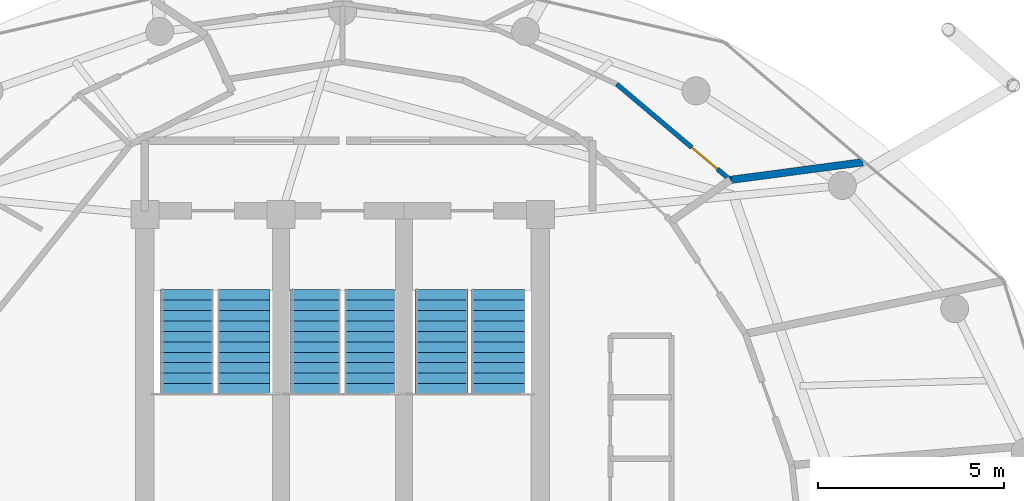
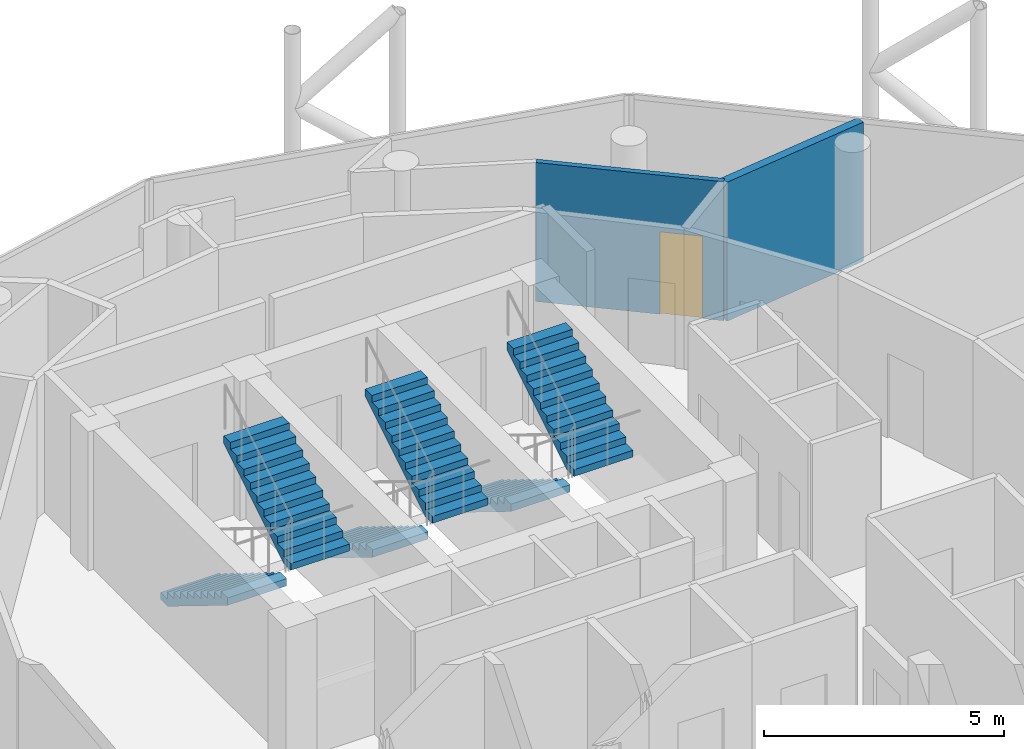
# One storey, part 23 of 24: 6 stair flights, 2 walls, 1 door, 1 opening, 3 elements without a shape of their own.
"""IFC4 building model written with IfcOpenShell, lengths in metres."""

from ifc_helpers import new_model, si_unit, direction, frame, frame_2d, origin, place, context, subcontext, project, spatial, polyline, rectangle, outline, extrude, material, layer, layer_set, type_object, element, fill, aggregate, save


model = new_model("IFC4")

# Units and contexts
model_context = context("Model", 3, precision=1e-05, world=origin(), true_north=direction((0.0, 1.0)))
body_context = subcontext(model_context, "Body", "Model", "MODEL_VIEW")
ifc_project = project(units=[si_unit("LENGTHUNIT", "METRE"), si_unit("AREAUNIT", "SQUARE_METRE"), si_unit("VOLUMEUNIT", "CUBIC_METRE"), si_unit("PLANEANGLEUNIT", "RADIAN"), si_unit("MASSUNIT", "GRAM", prefix="KILO")], contexts=[model_context])

# Site, building, storey
site_placement = place(None, origin())
site = spatial("IfcSite", under=ifc_project, at=site_placement, CompositionType="ELEMENT")
building_placement = place(site_placement, origin())
building = spatial("IfcBuilding", under=site, at=building_placement, Name="Nuhasar Tower", CompositionType="ELEMENT")
storey_placement = place(building_placement, frame((0.0, 0.0, 263.199951171875)))
storey = spatial("IfcBuildingStorey", under=building, at=storey_placement, Name="L65", CompositionType="ELEMENT", Elevation=263.199951171875)

# Wall, opening, door
ifc_material_1 = material(Name="Gypsum Board", Category="gypsum")
ifc_layer_1 = layer(ifc_material_1, 0.125)
ifc_layer_set_1 = layer_set([ifc_layer_1], Name="Gypsum Board")
wall_type_1 = type_object("IfcWallType", Name="WL-PART-125", PredefinedType="PARTITIONING", material=ifc_layer_set_1)
wall_1_placement = place(storey_placement, frame((46.35009765625, 40.794921875, 0.0), z_axis=(0.0, 0.0, 1.0), x_axis=(0.764348134159, -0.644803791713, 0.0)))
wall_1 = element("IfcWall", 1, at=wall_1_placement, inside=storey, type_object=wall_type_1, Name="L65 Interior Partition UMID-04-A-06", PredefinedType="PARTITIONING", context=body_context, shape_type="SweptSolid", body=[
    extrude(rectangle(XDim=3.982421875, YDim=0.125, at=frame_2d((1.9912109375, 0.0))), origin(), (0.0, 0.0, 1.0), 3.5400390625),
])
opening_placement = place(wall_1_placement, frame((2.6298828125, 0.0, 0.0)))
opening = element("IfcOpeningElement", 2, at=opening_placement, cuts=wall_1, Name="Opening DR-01", PredefinedType="OPENING", context=body_context, shape_type="SweptSolid", body=[
    extrude(rectangle(XDim=0.89990234375, YDim=2.10009765625, at=frame_2d((0.449951171875, 1.050048828125))), frame((0.0, 0.072509765625, 0.0), z_axis=(0.0, -1.0, 0.0), x_axis=(1.0, 0.0, 0.0)), (0.0, 0.0, 1.0), 0.14501953125),
])
ifc_material_2 = material(Name="Timber Oak", Category="wood")
door_type = type_object("IfcDoorType", Name="DR-ROOM-900", OperationType="NOTDEFINED", PredefinedType="DOOR", material=ifc_material_2)
door_placement = place(opening_placement, origin())
door = element("IfcDoor", 3, at=door_placement, inside=storey, type_object=door_type, Name="L65 U04 Living Door", OperationType="SINGLE_SWING_RIGHT", OverallHeight=2.10009765625, OverallWidth=0.89990234375, PredefinedType="DOOR", context=body_context, shape_type="SweptSolid", body=[
    extrude(rectangle(XDim=0.89990234375, YDim=2.10009765625, at=frame_2d((0.449951171875, 1.050048828125))), frame((0.0, 0.02490234375, 0.0), z_axis=(0.0, -1.0, 0.0), x_axis=(1.0, 0.0, 0.0)), (0.0, 0.0, 1.0), 0.050048828125),
])
fill(opening, door)

# Wall
ifc_material_3 = material(Name="Concrete C40/50 precast", Category="concrete")
ifc_layer_2 = layer(ifc_material_3, 0.199951171875)
ifc_layer_set_2 = layer_set([ifc_layer_2], Name="Concrete C40/50 precast")
wall_type_2 = type_object("IfcWallType", Name="WL-UNIT-200", PredefinedType="PARTITIONING", material=ifc_layer_set_2)
wall_2_placement = place(storey_placement, frame((49.39404296875, 38.22705078125, 0.0), z_axis=(0.0, 0.0, 1.0), x_axis=(0.991241562349, 0.13206121714, 0.0)))
element("IfcWall", 4, at=wall_2_placement, inside=storey, type_object=wall_type_2, Name="L65 Interior Partition URAD-06-S2", PredefinedType="PARTITIONING", context=body_context, shape_type="SweptSolid", body=[
    extrude(rectangle(XDim=3.58837890625, YDim=0.199951171875, at=frame_2d((1.794189453125, 0.0))), origin(), (0.0, 0.0, 1.0), 3.5400390625),
])

# Stair, stair flights
ifc_material_4 = material(Name="Concrete C45/55", Category="concrete")
stair_type_1 = type_object("IfcStairType", Name="STR-ST-01-2F-22R-1727", PredefinedType="HALF_TURN_STAIR", material=ifc_material_4)
stair_1_placement = place(storey_placement, origin())
stair_1 = element("IfcStair", 5, at=stair_1_placement, inside=storey, type_object=stair_type_1, Name="L65 Exit Stair ST-01", PredefinedType="HALF_TURN_STAIR")
stair_flight_type_1 = type_object("IfcStairFlightType", Name="SFL-ST-01-11R-1727", PredefinedType="STRAIGHT", material=ifc_material_4)
stair_flight_1_placement = place(storey_placement, frame((34.830078125, 35.284912109375, 0.0), z_axis=(0.0, 0.0, 1.0), x_axis=(0.0, -1.0, 0.0)))
stair_flight_1 = element("IfcStairFlight", 6, at=stair_flight_1_placement, type_object=stair_flight_type_1, Name="ST-01 flight 1", NumberOfRisers=11, NumberOfTreads=10, PredefinedType="STRAIGHT", RiserHeight=0.172727, TreadLength=0.28, context=body_context, shape_type="SweptSolid", body=[
    extrude(outline(polyline([(0.0, 0.0), (0.0, 0.172607421875), (0.280029296875, 0.172607421875), (0.280029296875, 0.345458984375), (0.56005859375, 0.345458984375), (0.56005859375, 0.51806640625), (0.840087890625, 0.51806640625), (0.840087890625, 0.69091796875), (1.1201171875, 0.69091796875), (1.1201171875, 0.863525390625), (1.39990234375, 0.863525390625), (1.39990234375, 1.036376953125), (1.679931640625, 1.036376953125), (1.679931640625, 1.208984375), (1.9599609375, 1.208984375), (1.9599609375, 1.3818359375), (2.239990234375, 1.3818359375), (2.239990234375, 1.554443359375), (2.52001953125, 1.554443359375), (2.52001953125, 1.727294921875), (2.800048828125, 1.727294921875), (2.800048828125, 1.89990234375), (2.800048828125, 1.539306640625), (0.3046875, 0.0), (0.0, 0.0)])), frame((0.0, 0.7099609375, 0.0), z_axis=(0.0, -1.0, 0.0), x_axis=(1.0, 0.0, 0.0)), (0.0, 0.0, 1.0), 1.419921875),
])
stair_flight_2_placement = place(storey_placement, frame((36.35009765625, 32.485107421875, 1.900146484375), z_axis=(0.0, 0.0, 1.0), x_axis=(0.0, 1.0, 0.0)))
stair_flight_2 = element("IfcStairFlight", 7, at=stair_flight_2_placement, type_object=stair_flight_type_1, Name="ST-01 flight 2", NumberOfRisers=11, NumberOfTreads=10, PredefinedType="STRAIGHT", RiserHeight=0.172727, TreadLength=0.28, context=body_context, shape_type="SweptSolid", body=[
    extrude(outline(polyline([(0.0, 0.0), (0.0, 0.172607421875), (0.280029296875, 0.172607421875), (0.280029296875, 0.345458984375), (0.56005859375, 0.345458984375), (0.56005859375, 0.51806640625), (0.840087890625, 0.51806640625), (0.840087890625, 0.69091796875), (1.1201171875, 0.69091796875), (1.1201171875, 0.863525390625), (1.39990234375, 0.863525390625), (1.39990234375, 1.036376953125), (1.679931640625, 1.036376953125), (1.679931640625, 1.208984375), (1.9599609375, 1.208984375), (1.9599609375, 1.3818359375), (2.239990234375, 1.3818359375), (2.239990234375, 1.554443359375), (2.52001953125, 1.554443359375), (2.52001953125, 1.727294921875), (2.800048828125, 1.727294921875), (2.800048828125, 1.89990234375), (2.800048828125, 1.539306640625), (0.3046875, 0.0), (0.0, 0.0)])), frame((0.0, 0.7099609375, 0.0), z_axis=(0.0, -1.0, 0.0), x_axis=(1.0, 0.0, 0.0)), (0.0, 0.0, 1.0), 1.419921875),
])
aggregate(stair_1, [stair_flight_1, stair_flight_2])

stair_type_2 = type_object("IfcStairType", Name="STR-ST-02-2F-22R-1727", PredefinedType="HALF_TURN_STAIR", material=ifc_material_4)
stair_2_placement = place(storey_placement, origin())
stair_2 = element("IfcStair", 8, at=stair_2_placement, inside=storey, type_object=stair_type_2, Name="L65 Exit Stair ST-02", PredefinedType="HALF_TURN_STAIR")
stair_flight_type_2 = type_object("IfcStairFlightType", Name="SFL-ST-02-11R-1727", PredefinedType="STRAIGHT", material=ifc_material_4)
stair_flight_3_placement = place(storey_placement, frame((41.64990234375, 35.284912109375, 0.0), z_axis=(0.0, 0.0, 1.0), x_axis=(0.0, -1.0, 0.0)))
stair_flight_3 = element("IfcStairFlight", 9, at=stair_flight_3_placement, type_object=stair_flight_type_2, Name="ST-02 flight 1", NumberOfRisers=11, NumberOfTreads=10, PredefinedType="STRAIGHT", RiserHeight=0.172727, TreadLength=0.28, context=body_context, shape_type="SweptSolid", body=[
    extrude(outline(polyline([(0.0, 0.0), (0.0, 0.172607421875), (0.280029296875, 0.172607421875), (0.280029296875, 0.345458984375), (0.56005859375, 0.345458984375), (0.56005859375, 0.51806640625), (0.840087890625, 0.51806640625), (0.840087890625, 0.69091796875), (1.1201171875, 0.69091796875), (1.1201171875, 0.863525390625), (1.39990234375, 0.863525390625), (1.39990234375, 1.036376953125), (1.679931640625, 1.036376953125), (1.679931640625, 1.208984375), (1.9599609375, 1.208984375), (1.9599609375, 1.3818359375), (2.239990234375, 1.3818359375), (2.239990234375, 1.554443359375), (2.52001953125, 1.554443359375), (2.52001953125, 1.727294921875), (2.800048828125, 1.727294921875), (2.800048828125, 1.89990234375), (2.800048828125, 1.539306640625), (0.3046875, 0.0), (0.0, 0.0)])), frame((0.0, 0.7099609375, 0.0), z_axis=(0.0, -1.0, 0.0), x_axis=(1.0, 0.0, 0.0)), (0.0, 0.0, 1.0), 1.419921875),
])
stair_flight_4_placement = place(storey_placement, frame((43.169921875, 32.485107421875, 1.900146484375), z_axis=(0.0, 0.0, 1.0), x_axis=(0.0, 1.0, 0.0)))
stair_flight_4 = element("IfcStairFlight", 10, at=stair_flight_4_placement, type_object=stair_flight_type_2, Name="ST-02 flight 2", NumberOfRisers=11, NumberOfTreads=10, PredefinedType="STRAIGHT", RiserHeight=0.172727, TreadLength=0.28, context=body_context, shape_type="SweptSolid", body=[
    extrude(outline(polyline([(0.0, 0.0), (0.0, 0.172607421875), (0.280029296875, 0.172607421875), (0.280029296875, 0.345458984375), (0.56005859375, 0.345458984375), (0.56005859375, 0.51806640625), (0.840087890625, 0.51806640625), (0.840087890625, 0.69091796875), (1.1201171875, 0.69091796875), (1.1201171875, 0.863525390625), (1.39990234375, 0.863525390625), (1.39990234375, 1.036376953125), (1.679931640625, 1.036376953125), (1.679931640625, 1.208984375), (1.9599609375, 1.208984375), (1.9599609375, 1.3818359375), (2.239990234375, 1.3818359375), (2.239990234375, 1.554443359375), (2.52001953125, 1.554443359375), (2.52001953125, 1.727294921875), (2.800048828125, 1.727294921875), (2.800048828125, 1.89990234375), (2.800048828125, 1.539306640625), (0.3046875, 0.0), (0.0, 0.0)])), frame((0.0, 0.7099609375, 0.0), z_axis=(0.0, -1.0, 0.0), x_axis=(1.0, 0.0, 0.0)), (0.0, 0.0, 1.0), 1.419921875),
])
aggregate(stair_2, [stair_flight_3, stair_flight_4])

stair_type_3 = type_object("IfcStairType", Name="STR-ST-03-2F-22R-1727", PredefinedType="HALF_TURN_STAIR", material=ifc_material_4)
stair_3_placement = place(storey_placement, origin())
stair_3 = element("IfcStair", 11, at=stair_3_placement, inside=storey, type_object=stair_type_3, Name="L65 Exit Stair ST-03", PredefinedType="HALF_TURN_STAIR")
stair_flight_type_3 = type_object("IfcStairFlightType", Name="SFL-ST-03-11R-1727", PredefinedType="STRAIGHT", material=ifc_material_4)
stair_flight_5_placement = place(storey_placement, frame((38.280029296875, 35.284912109375, 0.0), z_axis=(0.0, 0.0, 1.0), x_axis=(0.0, -1.0, 0.0)))
stair_flight_5 = element("IfcStairFlight", 12, at=stair_flight_5_placement, type_object=stair_flight_type_3, Name="ST-03 flight 1", NumberOfRisers=11, NumberOfTreads=10, PredefinedType="STRAIGHT", RiserHeight=0.172727, TreadLength=0.28, context=body_context, shape_type="SweptSolid", body=[
    extrude(outline(polyline([(0.0, 0.0), (0.0, 0.172607421875), (0.280029296875, 0.172607421875), (0.280029296875, 0.345458984375), (0.56005859375, 0.345458984375), (0.56005859375, 0.51806640625), (0.840087890625, 0.51806640625), (0.840087890625, 0.69091796875), (1.1201171875, 0.69091796875), (1.1201171875, 0.863525390625), (1.39990234375, 0.863525390625), (1.39990234375, 1.036376953125), (1.679931640625, 1.036376953125), (1.679931640625, 1.208984375), (1.9599609375, 1.208984375), (1.9599609375, 1.3818359375), (2.239990234375, 1.3818359375), (2.239990234375, 1.554443359375), (2.52001953125, 1.554443359375), (2.52001953125, 1.727294921875), (2.800048828125, 1.727294921875), (2.800048828125, 1.89990234375), (2.800048828125, 1.539306640625), (0.3046875, 0.0), (0.0, 0.0)])), frame((0.0, 0.669921875, 0.0), z_axis=(0.0, -1.0, 0.0), x_axis=(1.0, 0.0, 0.0)), (0.0, 0.0, 1.0), 1.340087890625),
])
stair_flight_6_placement = place(storey_placement, frame((39.719970703125, 32.485107421875, 1.900146484375), z_axis=(0.0, 0.0, 1.0), x_axis=(0.0, 1.0, 0.0)))
stair_flight_6 = element("IfcStairFlight", 13, at=stair_flight_6_placement, type_object=stair_flight_type_3, Name="ST-03 flight 2", NumberOfRisers=11, NumberOfTreads=10, PredefinedType="STRAIGHT", RiserHeight=0.172727, TreadLength=0.28, context=body_context, shape_type="SweptSolid", body=[
    extrude(outline(polyline([(0.0, 0.0), (0.0, 0.172607421875), (0.280029296875, 0.172607421875), (0.280029296875, 0.345458984375), (0.56005859375, 0.345458984375), (0.56005859375, 0.51806640625), (0.840087890625, 0.51806640625), (0.840087890625, 0.69091796875), (1.1201171875, 0.69091796875), (1.1201171875, 0.863525390625), (1.39990234375, 0.863525390625), (1.39990234375, 1.036376953125), (1.679931640625, 1.036376953125), (1.679931640625, 1.208984375), (1.9599609375, 1.208984375), (1.9599609375, 1.3818359375), (2.239990234375, 1.3818359375), (2.239990234375, 1.554443359375), (2.52001953125, 1.554443359375), (2.52001953125, 1.727294921875), (2.800048828125, 1.727294921875), (2.800048828125, 1.89990234375), (2.800048828125, 1.539306640625), (0.3046875, 0.0), (0.0, 0.0)])), frame((0.0, 0.669921875, 0.0), z_axis=(0.0, -1.0, 0.0), x_axis=(1.0, 0.0, 0.0)), (0.0, 0.0, 1.0), 1.340087890625),
])
aggregate(stair_3, [stair_flight_5, stair_flight_6])

save(model, "model.ifc")
